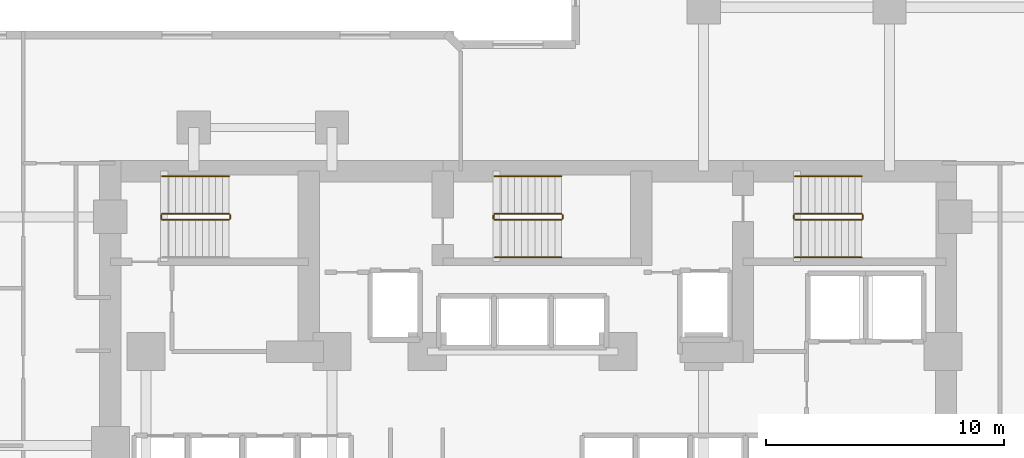
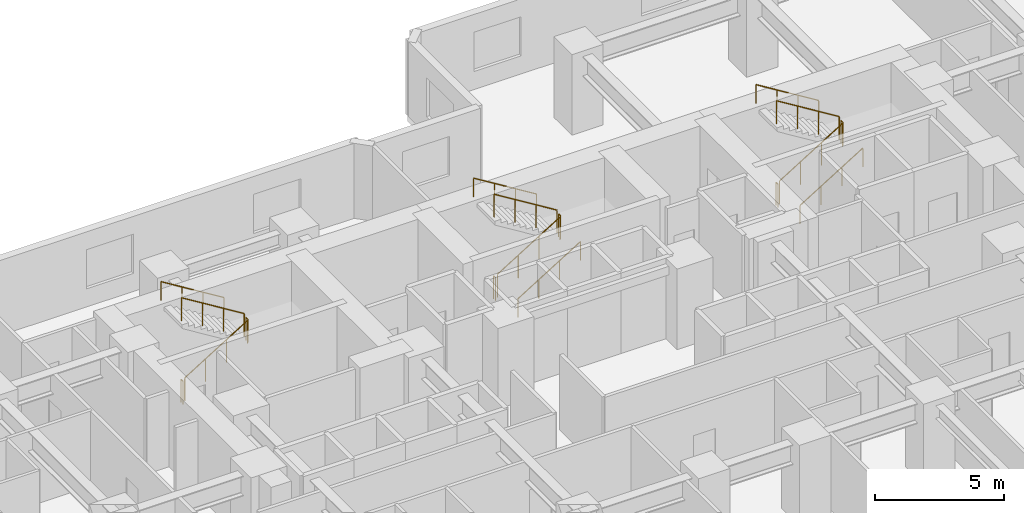
# One storey, part 12 of 12: 17 railings.
"""IFC4 building model written with IfcOpenShell, lengths in metres."""

import ifcopenshell
import ifcopenshell.guid

model = None  # the IFC model being written
_history = None  # IfcOwnerHistory: only IFC2X3 demands one
_inside = {}  # id of a spatial element -> (the spatial element, [elements in it])
_under = {}  # id of a project, library or spatial element -> (it, [spatial elements below it])
_declared = {}  # id of a project -> (the project, [libraries it declares])
_typed = {}  # id of a type object -> (the type object, [elements of that type])
_made_of = {}  # id of a material, layer set ... -> (it, [elements and type objects made of it])


def new_model(schema):
    """Start an empty IFC model of exactly this schema.

    Asked for "IFC4X3", IfcOpenShell would pick the latest addendum, in which some entities
    have other attributes; the version numbers below select the first issue.
    IFC2X3 requires an IfcOwnerHistory on every rooted entity: one is made here for all.
    """
    global model, _history
    if schema == "IFC4X3":
        model = ifcopenshell.file(schema_version=(4, 3, 0, 0))
    else:
        model = ifcopenshell.file(schema=schema)
    _inside.clear()
    _under.clear()
    _declared.clear()
    _typed.clear()
    _made_of.clear()
    _history = None
    if model.schema == "IFC2X3":
        org = make("IfcOrganization", Name="unknown")
        user = make(
            "IfcPersonAndOrganization",
            ThePerson=make("IfcPerson", FamilyName="unknown"),
            TheOrganization=org,
        )
        app = make(
            "IfcApplication",
            ApplicationDeveloper=org,
            Version="unknown",
            ApplicationFullName="unknown",
            ApplicationIdentifier="unknown",
        )
        _history = make(
            "IfcOwnerHistory",
            OwningUser=user,
            OwningApplication=app,
            ChangeAction="ADDED",
            CreationDate=0,
        )
    return model


def make(cls, **values):
    """One entity of the class cls with the attributes given. An attribute that is None is left unset."""
    return model.create_entity(
        cls, **{name: value for name, value in values.items() if value is not None}
    )


def rooted(cls, **values):
    """An entity with a GlobalId (a new one), such as an element, a storey or a relation."""
    return make(cls, GlobalId=ifcopenshell.guid.new(), OwnerHistory=_history, **values)


def si_unit(unit_type, name, prefix=None):
    """IfcSIUnit, for example si_unit("LENGTHUNIT", "METRE", prefix="MILLI")."""
    return make("IfcSIUnit", UnitType=unit_type, Prefix=prefix, Name=name)


def assignment(units):
    """IfcUnitAssignment: the units of a project."""
    return None if units is None else make("IfcUnitAssignment", Units=units)


def point(xyz):
    """IfcCartesianPoint."""
    return None if xyz is None else make("IfcCartesianPoint", Coordinates=xyz)


def direction(xyz):
    """IfcDirection."""
    return None if xyz is None else make("IfcDirection", DirectionRatios=xyz)


def frame(location, z_axis=None, x_axis=None):
    """IfcAxis2Placement3D, a coordinate frame: its origin and axes. An axis left out is left unset."""
    return make(
        "IfcAxis2Placement3D",
        Location=point(location),
        Axis=direction(z_axis),
        RefDirection=direction(x_axis),
    )


def frame_2d(location, x_axis=None):
    """IfcAxis2Placement2D, a coordinate frame in the plane: its origin and x axis."""
    return make(
        "IfcAxis2Placement2D", Location=point(location), RefDirection=direction(x_axis)
    )


def origin():
    """The frame at (0, 0, 0) with its axes left unset."""
    return frame((0.0, 0.0, 0.0))


def origin_2d():
    """The frame at (0, 0) in the plane with its x axis left unset."""
    return frame_2d((0.0, 0.0))


def place(relative_to, where):
    """IfcLocalPlacement: puts the frame where relative to a parent placement (None: the world)."""
    return make(
        "IfcLocalPlacement", PlacementRelTo=relative_to, RelativePlacement=where
    )


def context(
    kind, dimensions, precision=None, world=None, true_north=None, identifier=None
):
    """IfcGeometricRepresentationContext, for example the 3D "Model" context."""
    return make(
        "IfcGeometricRepresentationContext",
        ContextIdentifier=identifier,
        ContextType=kind,
        CoordinateSpaceDimension=dimensions,
        Precision=precision,
        WorldCoordinateSystem=world,
        TrueNorth=true_north,
    )


def subcontext(parent, identifier, kind, view, scale=None):
    """IfcGeometricRepresentationSubContext, for example "Body" below "Model"."""
    return make(
        "IfcGeometricRepresentationSubContext",
        ContextIdentifier=identifier,
        ContextType=kind,
        ParentContext=parent,
        TargetScale=scale,
        TargetView=view,
    )


def project(units=None, contexts=None):
    """IfcProject with its units and contexts."""
    return rooted(
        "IfcProject",
        Name="project",
        RepresentationContexts=contexts,
        UnitsInContext=assignment(units),
    )


def spatial(cls, under=None, at=None, **own):
    """A site, building, storey or space (cls), placed at a placement, below another one or the project."""
    s = rooted(cls, ObjectPlacement=at, **own)
    if under is not None:
        _under.setdefault(under.id(), (under, []))[1].append(s)
    return s


def profile(cls, at=None, kind="AREA", **sizes):
    """A parametric profile (cls). Its sizes go by their IFC names, for example OverallWidth=200.0."""
    return make(cls, ProfileType=kind, Position=at, **sizes)


def circle(**sizes):
    """IfcCircleProfileDef."""
    return profile("IfcCircleProfileDef", **sizes)


def extrude(swept, where, along, depth):
    """IfcExtrudedAreaSolid: the profile swept, set in the frame where, extruded along a direction by depth."""
    return make(
        "IfcExtrudedAreaSolid",
        SweptArea=swept,
        Position=where,
        ExtrudedDirection=direction(along),
        Depth=depth,
    )


def shape(context_of_items, identifier, shape_type, items):
    """IfcShapeRepresentation: the items that make up one representation, for example the "Body"."""
    return make(
        "IfcShapeRepresentation",
        ContextOfItems=context_of_items,
        RepresentationIdentifier=identifier,
        RepresentationType=shape_type,
        Items=items,
    )


def material(Name=None, Category=None):
    """IfcMaterial."""
    return make("IfcMaterial", Name=Name, Category=Category)


def made_of(thing, what):
    """Note that an element or type object is made of a material, layer set ...; save() writes the relation."""
    if what is not None:
        _made_of.setdefault(what.id(), (what, []))[1].append(thing)
    return thing


def type_object(cls, material=None, **own):
    """A type object (cls), such as IfcWallType, which elements share."""
    return made_of(rooted(cls, **own), material)


def element(
    cls,
    number,
    at=None,
    inside=None,
    cuts=None,
    type_object=None,
    material=None,
    context=None,
    identifier="Body",
    shape_type=None,
    held_by="IfcProductDefinitionShape",
    body=None,
    shapes=None,
    **own,
):
    """One element of the class cls, such as IfcWall. Its Tag is "e" and its number.

    at: its placement. inside: the storey or other place that contains it. cuts: it is an
    opening in that element (IfcRelVoidsElement). A single representation is given by context,
    identifier, shape_type and body (its items); several are given by shapes. held_by: the class
    of the entity that holds the representations. save() writes the other relations.
    """
    e = rooted(cls, Tag="e%d" % number, ObjectPlacement=at, **own)
    if body is not None:
        shapes = [shape(context, identifier, shape_type, body)]
    if shapes is not None:
        e.Representation = make(held_by, Representations=shapes)
    if inside is not None:
        _inside.setdefault(inside.id(), (inside, []))[1].append(e)
    if cuts is not None:
        rooted(
            "IfcRelVoidsElement", RelatingBuildingElement=cuts, RelatedOpeningElement=e
        )
    if type_object is not None:
        _typed.setdefault(type_object.id(), (type_object, []))[1].append(e)
    return made_of(e, material)


def aggregate(whole, parts):
    """IfcRelAggregates: a whole, such as a stair, and the parts it consists of."""
    return rooted("IfcRelAggregates", RelatingObject=whole, RelatedObjects=parts)


def save(model, path):
    """Write the relations noted so far, then the file.

    IfcRelAggregates (storeys below a building ...), IfcRelContainedInSpatialStructure (elements
    in a storey), IfcRelDefinesByType, IfcRelAssociatesMaterial and IfcRelDeclares: one each for
    every whole, place, type object, material and project.
    """
    for whole, parts in _under.values():
        aggregate(whole, parts)
    for where, things in _inside.values():
        rooted(
            "IfcRelContainedInSpatialStructure",
            RelatedElements=things,
            RelatingStructure=where,
        )
    for kind, things in _typed.values():
        rooted("IfcRelDefinesByType", RelatedObjects=things, RelatingType=kind)
    for what, things in _made_of.values():
        rooted("IfcRelAssociatesMaterial", RelatedObjects=things, RelatingMaterial=what)
    for by, libraries in _declared.values():
        rooted("IfcRelDeclares", RelatingContext=by, RelatedDefinitions=libraries)
    model.write(path)


model = new_model("IFC4")

# Units and contexts
model_context = context("Model", 3, precision=1e-05, world=origin(), true_north=direction((0.0, 1.0)))
body_context = subcontext(model_context, "Body", "Model", "MODEL_VIEW")
ifc_project = project(units=[si_unit("LENGTHUNIT", "METRE"), si_unit("AREAUNIT", "SQUARE_METRE"), si_unit("VOLUMEUNIT", "CUBIC_METRE"), si_unit("PLANEANGLEUNIT", "RADIAN"), si_unit("MASSUNIT", "GRAM", prefix="KILO")], contexts=[model_context])

# Site, building, storey
site_placement = place(None, origin())
site = spatial("IfcSite", under=ifc_project, at=site_placement, CompositionType="ELEMENT")
building_placement = place(site_placement, origin())
building = spatial("IfcBuilding", under=site, at=building_placement, Name="Kestravale Grand Hotel", CompositionType="ELEMENT")
storey_placement = place(building_placement, frame((0.0, 0.0, 60.199951171875)))
storey = spatial("IfcBuildingStorey", under=building, at=storey_placement, Name="L14", CompositionType="ELEMENT", Elevation=60.199951171875)

# Railings
ifc_material_1 = material(Name="Painted tubular steel stair well guard", Category="steel")
railing_type_1 = type_object("IfcRailingType", Name="RL-ST-GRD1100", PredefinedType="GUARDRAIL", material=ifc_material_1)
railing_1_placement = place(storey_placement, frame((24.080078125, 38.280029296875, 0.1728515625)))
element("IfcRailing", 1, at=railing_1_placement, inside=storey, type_object=railing_type_1, Name="L14 ST-1 stair guard 1", PredefinedType="GUARDRAIL", context=body_context, shape_type="SweptSolid", body=[
    extrude(circle(Radius=0.02392578125, at=origin_2d()), frame((0.0, 0.0, 1.076171875), z_axis=(0.851069175582, 0.0, 0.525053576669), x_axis=(0.0, 1.0, 0.0)), (0.0, 0.0, 1.0), 3.289794921875),
    extrude(circle(Radius=0.02099609375, at=origin_2d()), origin(), (0.0, 0.0, 1.0), 1.052001953125),
    extrude(circle(Radius=0.02099609375, at=origin_2d()), frame((0.933349609375, 0.0, 0.57568359375)), (0.0, 0.0, 1.0), 1.052001953125),
    extrude(circle(Radius=0.02099609375, at=origin_2d()), frame((1.866455078125, 0.0, 1.151611328125)), (0.0, 0.0, 1.0), 1.052001953125),
    extrude(circle(Radius=0.02099609375, at=origin_2d()), frame((2.7998046875, 0.0, 1.727294921875)), (0.0, 0.0, 1.0), 1.052001953125),
])
railing_2_placement = place(storey_placement, frame((26.929931640625, 38.330078125, 1.900146484375)))
element("IfcRailing", 2, at=railing_2_placement, inside=storey, type_object=railing_type_1, Name="L14 ST-1 stair guard 2", PredefinedType="GUARDRAIL", context=body_context, shape_type="SweptSolid", body=[
    extrude(circle(Radius=0.02392578125, at=origin_2d()), frame((0.0, 0.0, 1.076171875), z_axis=(0.0, 1.0, 0.0), x_axis=(-1.0, 0.0, 0.0)), (0.0, 0.0, 1.0), 0.14990234375),
    extrude(circle(Radius=0.02099609375, at=origin_2d()), origin(), (0.0, 0.0, 1.0), 1.052001953125),
    extrude(circle(Radius=0.02099609375, at=origin_2d()), frame((0.0, 0.14990234375, 0.0)), (0.0, 0.0, 1.0), 1.052001953125),
])
railing_3_placement = place(storey_placement, frame((26.8798828125, 38.530029296875, 2.07275390625)))
element("IfcRailing", 3, at=railing_3_placement, inside=storey, type_object=railing_type_1, Name="L14 ST-1 stair guard 3", PredefinedType="GUARDRAIL", context=body_context, shape_type="SweptSolid", body=[
    extrude(circle(Radius=0.02392578125, at=origin_2d()), frame((0.0, 0.0, 1.076171875), z_axis=(-0.851069175582, 0.0, 0.525053576669), x_axis=(0.0, -1.0, 0.0)), (0.0, 0.0, 1.0), 3.289794921875),
    extrude(circle(Radius=0.02099609375, at=origin_2d()), origin(), (0.0, 0.0, 1.0), 1.052001953125),
    extrude(circle(Radius=0.02099609375, at=origin_2d()), frame((-0.933349609375, 0.0, 0.57568359375)), (0.0, 0.0, 1.0), 1.052001953125),
    extrude(circle(Radius=0.02099609375, at=origin_2d()), frame((-1.866455078125, 0.0, 1.151611328125)), (0.0, 0.0, 1.0), 1.052001953125),
    extrude(circle(Radius=0.02099609375, at=origin_2d()), frame((-2.7998046875, 0.0, 1.727294921875)), (0.0, 0.0, 1.0), 1.052001953125),
])
railing_4_placement = place(storey_placement, frame((24.030029296875, 38.330078125, 0.0)))
element("IfcRailing", 4, at=railing_4_placement, inside=storey, type_object=railing_type_1, Name="L14 ST-1 stair guard 4", PredefinedType="GUARDRAIL", context=body_context, shape_type="SweptSolid", body=[
    extrude(circle(Radius=0.02392578125, at=origin_2d()), frame((0.0, 0.0, 1.076171875), z_axis=(0.0, 1.0, 0.0), x_axis=(-1.0, 0.0, 0.0)), (0.0, 0.0, 1.0), 0.14990234375),
    extrude(circle(Radius=0.02099609375, at=origin_2d()), origin(), (0.0, 0.0, 1.0), 1.052001953125),
    extrude(circle(Radius=0.02099609375, at=origin_2d()), frame((0.0, 0.14990234375, 0.0)), (0.0, 0.0, 1.0), 1.052001953125),
])
railing_5_placement = place(storey_placement, frame((38.030029296875, 38.280029296875, 0.1728515625)))
element("IfcRailing", 5, at=railing_5_placement, inside=storey, type_object=railing_type_1, Name="L14 ST-2 stair guard 1", PredefinedType="GUARDRAIL", context=body_context, shape_type="SweptSolid", body=[
    extrude(circle(Radius=0.02392578125, at=origin_2d()), frame((0.0, 0.0, 1.076171875), z_axis=(0.851089632645, 0.0, 0.525020415988), x_axis=(0.0, 1.0, 0.0)), (0.0, 0.0, 1.0), 3.2900390625),
    extrude(circle(Radius=0.02099609375, at=origin_2d()), origin(), (0.0, 0.0, 1.0), 1.052001953125),
    extrude(circle(Radius=0.02099609375, at=origin_2d()), frame((0.933349609375, 0.0, 0.57568359375)), (0.0, 0.0, 1.0), 1.052001953125),
    extrude(circle(Radius=0.02099609375, at=origin_2d()), frame((1.86669921875, 0.0, 1.151611328125)), (0.0, 0.0, 1.0), 1.052001953125),
    extrude(circle(Radius=0.02099609375, at=origin_2d()), frame((2.800048828125, 0.0, 1.727294921875)), (0.0, 0.0, 1.0), 1.052001953125),
])
railing_6_placement = place(storey_placement, frame((40.8798828125, 38.330078125, 1.900146484375)))
element("IfcRailing", 6, at=railing_6_placement, inside=storey, type_object=railing_type_1, Name="L14 ST-2 stair guard 2", PredefinedType="GUARDRAIL", context=body_context, shape_type="SweptSolid", body=[
    extrude(circle(Radius=0.02392578125, at=origin_2d()), frame((0.0, 0.0, 1.076171875), z_axis=(0.0, 1.0, 0.0), x_axis=(-1.0, 0.0, 0.0)), (0.0, 0.0, 1.0), 0.14990234375),
    extrude(circle(Radius=0.02099609375, at=origin_2d()), origin(), (0.0, 0.0, 1.0), 1.052001953125),
    extrude(circle(Radius=0.02099609375, at=origin_2d()), frame((0.0, 0.14990234375, 0.0)), (0.0, 0.0, 1.0), 1.052001953125),
])
railing_7_placement = place(storey_placement, frame((40.830078125, 38.530029296875, 2.07275390625)))
element("IfcRailing", 7, at=railing_7_placement, inside=storey, type_object=railing_type_1, Name="L14 ST-2 stair guard 3", PredefinedType="GUARDRAIL", context=body_context, shape_type="SweptSolid", body=[
    extrude(circle(Radius=0.02392578125, at=origin_2d()), frame((0.0, 0.0, 1.076171875), z_axis=(-0.851089632645, 0.0, 0.525020415988), x_axis=(0.0, -1.0, 0.0)), (0.0, 0.0, 1.0), 3.2900390625),
    extrude(circle(Radius=0.02099609375, at=origin_2d()), origin(), (0.0, 0.0, 1.0), 1.052001953125),
    extrude(circle(Radius=0.02099609375, at=origin_2d()), frame((-0.933349609375, 0.0, 0.57568359375)), (0.0, 0.0, 1.0), 1.052001953125),
    extrude(circle(Radius=0.02099609375, at=origin_2d()), frame((-1.86669921875, 0.0, 1.151611328125)), (0.0, 0.0, 1.0), 1.052001953125),
    extrude(circle(Radius=0.02099609375, at=origin_2d()), frame((-2.800048828125, 0.0, 1.727294921875)), (0.0, 0.0, 1.0), 1.052001953125),
])
railing_8_placement = place(storey_placement, frame((37.97998046875, 38.330078125, 0.0)))
element("IfcRailing", 8, at=railing_8_placement, inside=storey, type_object=railing_type_1, Name="L14 ST-2 stair guard 4", PredefinedType="GUARDRAIL", context=body_context, shape_type="SweptSolid", body=[
    extrude(circle(Radius=0.02392578125, at=origin_2d()), frame((0.0, 0.0, 1.076171875), z_axis=(0.0, 1.0, 0.0), x_axis=(-1.0, 0.0, 0.0)), (0.0, 0.0, 1.0), 0.14990234375),
    extrude(circle(Radius=0.02099609375, at=origin_2d()), origin(), (0.0, 0.0, 1.0), 1.052001953125),
    extrude(circle(Radius=0.02099609375, at=origin_2d()), frame((0.0, 0.14990234375, 0.0)), (0.0, 0.0, 1.0), 1.052001953125),
])
railing_9_placement = place(storey_placement, frame((50.6298828125, 38.280029296875, 0.1728515625)))
element("IfcRailing", 9, at=railing_9_placement, inside=storey, type_object=railing_type_1, Name="L14 ST-3 stair guard 1", PredefinedType="GUARDRAIL", context=body_context, shape_type="SweptSolid", body=[
    extrude(circle(Radius=0.02392578125, at=origin_2d()), frame((0.0, 0.0, 1.076171875), z_axis=(0.851089632645, 0.0, 0.525020415988), x_axis=(0.0, 1.0, 0.0)), (0.0, 0.0, 1.0), 3.2900390625),
    extrude(circle(Radius=0.02099609375, at=origin_2d()), origin(), (0.0, 0.0, 1.0), 1.052001953125),
    extrude(circle(Radius=0.02099609375, at=origin_2d()), frame((0.933349609375, 0.0, 0.57568359375)), (0.0, 0.0, 1.0), 1.052001953125),
    extrude(circle(Radius=0.02099609375, at=origin_2d()), frame((1.86669921875, 0.0, 1.151611328125)), (0.0, 0.0, 1.0), 1.052001953125),
    extrude(circle(Radius=0.02099609375, at=origin_2d()), frame((2.800048828125, 0.0, 1.727294921875)), (0.0, 0.0, 1.0), 1.052001953125),
])
railing_10_placement = place(storey_placement, frame((53.47998046875, 38.330078125, 1.900146484375)))
element("IfcRailing", 10, at=railing_10_placement, inside=storey, type_object=railing_type_1, Name="L14 ST-3 stair guard 2", PredefinedType="GUARDRAIL", context=body_context, shape_type="SweptSolid", body=[
    extrude(circle(Radius=0.02392578125, at=origin_2d()), frame((0.0, 0.0, 1.076171875), z_axis=(0.0, 1.0, 0.0), x_axis=(-1.0, 0.0, 0.0)), (0.0, 0.0, 1.0), 0.14990234375),
    extrude(circle(Radius=0.02099609375, at=origin_2d()), origin(), (0.0, 0.0, 1.0), 1.052001953125),
    extrude(circle(Radius=0.02099609375, at=origin_2d()), frame((0.0, 0.14990234375, 0.0)), (0.0, 0.0, 1.0), 1.052001953125),
])
railing_11_placement = place(storey_placement, frame((53.429931640625, 38.530029296875, 2.07275390625)))
element("IfcRailing", 11, at=railing_11_placement, inside=storey, type_object=railing_type_1, Name="L14 ST-3 stair guard 3", PredefinedType="GUARDRAIL", context=body_context, shape_type="SweptSolid", body=[
    extrude(circle(Radius=0.02392578125, at=origin_2d()), frame((0.0, 0.0, 1.076171875), z_axis=(-0.851089632645, 0.0, 0.525020415988), x_axis=(0.0, -1.0, 0.0)), (0.0, 0.0, 1.0), 3.2900390625),
    extrude(circle(Radius=0.02099609375, at=origin_2d()), origin(), (0.0, 0.0, 1.0), 1.052001953125),
    extrude(circle(Radius=0.02099609375, at=origin_2d()), frame((-0.933349609375, 0.0, 0.57568359375)), (0.0, 0.0, 1.0), 1.052001953125),
    extrude(circle(Radius=0.02099609375, at=origin_2d()), frame((-1.86669921875, 0.0, 1.151611328125)), (0.0, 0.0, 1.0), 1.052001953125),
    extrude(circle(Radius=0.02099609375, at=origin_2d()), frame((-2.800048828125, 0.0, 1.727294921875)), (0.0, 0.0, 1.0), 1.052001953125),
])
railing_12_placement = place(storey_placement, frame((50.580078125, 38.330078125, 0.0)))
element("IfcRailing", 12, at=railing_12_placement, inside=storey, type_object=railing_type_1, Name="L14 ST-3 stair guard 4", PredefinedType="GUARDRAIL", context=body_context, shape_type="SweptSolid", body=[
    extrude(circle(Radius=0.02392578125, at=origin_2d()), frame((0.0, 0.0, 1.076171875), z_axis=(0.0, 1.0, 0.0), x_axis=(-1.0, 0.0, 0.0)), (0.0, 0.0, 1.0), 0.14990234375),
    extrude(circle(Radius=0.02099609375, at=origin_2d()), origin(), (0.0, 0.0, 1.0), 1.052001953125),
    extrude(circle(Radius=0.02099609375, at=origin_2d()), frame((0.0, 0.14990234375, 0.0)), (0.0, 0.0, 1.0), 1.052001953125),
])
ifc_material_2 = material(Name="Brushed stainless steel wall handrail", Category="steel")
railing_type_2 = type_object("IfcRailingType", Name="RL-ST-HND900", PredefinedType="HANDRAIL", material=ifc_material_2)
railing_13_placement = place(storey_placement, frame((26.8798828125, 40.110107421875, 2.07275390625)))
element("IfcRailing", 13, at=railing_13_placement, inside=storey, type_object=railing_type_2, Name="L14 ST-1 stair handrail 2", PredefinedType="HANDRAIL", context=body_context, shape_type="SweptSolid", body=[
    extrude(circle(Radius=0.02392578125, at=origin_2d()), frame((0.0, 0.0, 0.8759765625), z_axis=(-0.851069175582, 0.0, 0.525053576669), x_axis=(0.0, -1.0, 0.0)), (0.0, 0.0, 1.0), 3.289794921875),
    extrude(circle(Radius=0.02099609375, at=origin_2d()), origin(), (0.0, 0.0, 1.0), 0.851806640625),
    extrude(circle(Radius=0.02099609375, at=origin_2d()), frame((-0.933349609375, 0.0, 0.57568359375)), (0.0, 0.0, 1.0), 0.851806640625),
    extrude(circle(Radius=0.02099609375, at=origin_2d()), frame((-1.866455078125, 0.0, 1.151611328125)), (0.0, 0.0, 1.0), 0.851806640625),
    extrude(circle(Radius=0.02099609375, at=origin_2d()), frame((-2.7998046875, 0.0, 1.727294921875)), (0.0, 0.0, 1.0), 0.851806640625),
])
railing_14_placement = place(storey_placement, frame((38.030029296875, 36.699951171875, 0.1728515625)))
element("IfcRailing", 14, at=railing_14_placement, inside=storey, type_object=railing_type_2, Name="L14 ST-2 stair handrail 1", PredefinedType="HANDRAIL", context=body_context, shape_type="SweptSolid", body=[
    extrude(circle(Radius=0.02392578125, at=origin_2d()), frame((0.0, 0.0, 0.8759765625), z_axis=(0.851089632645, 0.0, 0.525020415988), x_axis=(0.0, 1.0, 0.0)), (0.0, 0.0, 1.0), 3.2900390625),
    extrude(circle(Radius=0.02099609375, at=origin_2d()), origin(), (0.0, 0.0, 1.0), 0.851806640625),
    extrude(circle(Radius=0.02099609375, at=origin_2d()), frame((0.933349609375, 0.0, 0.57568359375)), (0.0, 0.0, 1.0), 0.851806640625),
    extrude(circle(Radius=0.02099609375, at=origin_2d()), frame((1.86669921875, 0.0, 1.151611328125)), (0.0, 0.0, 1.0), 0.851806640625),
    extrude(circle(Radius=0.02099609375, at=origin_2d()), frame((2.800048828125, 0.0, 1.727294921875)), (0.0, 0.0, 1.0), 0.851806640625),
])
railing_15_placement = place(storey_placement, frame((40.830078125, 40.110107421875, 2.07275390625)))
element("IfcRailing", 15, at=railing_15_placement, inside=storey, type_object=railing_type_2, Name="L14 ST-2 stair handrail 2", PredefinedType="HANDRAIL", context=body_context, shape_type="SweptSolid", body=[
    extrude(circle(Radius=0.02392578125, at=origin_2d()), frame((0.0, 0.0, 0.8759765625), z_axis=(-0.851089632645, 0.0, 0.525020415988), x_axis=(0.0, -1.0, 0.0)), (0.0, 0.0, 1.0), 3.2900390625),
    extrude(circle(Radius=0.02099609375, at=origin_2d()), origin(), (0.0, 0.0, 1.0), 0.851806640625),
    extrude(circle(Radius=0.02099609375, at=origin_2d()), frame((-0.933349609375, 0.0, 0.57568359375)), (0.0, 0.0, 1.0), 0.851806640625),
    extrude(circle(Radius=0.02099609375, at=origin_2d()), frame((-1.86669921875, 0.0, 1.151611328125)), (0.0, 0.0, 1.0), 0.851806640625),
    extrude(circle(Radius=0.02099609375, at=origin_2d()), frame((-2.800048828125, 0.0, 1.727294921875)), (0.0, 0.0, 1.0), 0.851806640625),
])
railing_16_placement = place(storey_placement, frame((50.6298828125, 36.699951171875, 0.1728515625)))
element("IfcRailing", 16, at=railing_16_placement, inside=storey, type_object=railing_type_2, Name="L14 ST-3 stair handrail 1", PredefinedType="HANDRAIL", context=body_context, shape_type="SweptSolid", body=[
    extrude(circle(Radius=0.02392578125, at=origin_2d()), frame((0.0, 0.0, 0.8759765625), z_axis=(0.851089632645, 0.0, 0.525020415988), x_axis=(0.0, 1.0, 0.0)), (0.0, 0.0, 1.0), 3.2900390625),
    extrude(circle(Radius=0.02099609375, at=origin_2d()), origin(), (0.0, 0.0, 1.0), 0.851806640625),
    extrude(circle(Radius=0.02099609375, at=origin_2d()), frame((0.933349609375, 0.0, 0.57568359375)), (0.0, 0.0, 1.0), 0.851806640625),
    extrude(circle(Radius=0.02099609375, at=origin_2d()), frame((1.86669921875, 0.0, 1.151611328125)), (0.0, 0.0, 1.0), 0.851806640625),
    extrude(circle(Radius=0.02099609375, at=origin_2d()), frame((2.800048828125, 0.0, 1.727294921875)), (0.0, 0.0, 1.0), 0.851806640625),
])
railing_17_placement = place(storey_placement, frame((53.429931640625, 40.110107421875, 2.07275390625)))
element("IfcRailing", 17, at=railing_17_placement, inside=storey, type_object=railing_type_2, Name="L14 ST-3 stair handrail 2", PredefinedType="HANDRAIL", context=body_context, shape_type="SweptSolid", body=[
    extrude(circle(Radius=0.02392578125, at=origin_2d()), frame((0.0, 0.0, 0.8759765625), z_axis=(-0.851089632645, 0.0, 0.525020415988), x_axis=(0.0, -1.0, 0.0)), (0.0, 0.0, 1.0), 3.2900390625),
    extrude(circle(Radius=0.02099609375, at=origin_2d()), origin(), (0.0, 0.0, 1.0), 0.851806640625),
    extrude(circle(Radius=0.02099609375, at=origin_2d()), frame((-0.933349609375, 0.0, 0.57568359375)), (0.0, 0.0, 1.0), 0.851806640625),
    extrude(circle(Radius=0.02099609375, at=origin_2d()), frame((-1.86669921875, 0.0, 1.151611328125)), (0.0, 0.0, 1.0), 0.851806640625),
    extrude(circle(Radius=0.02099609375, at=origin_2d()), frame((-2.800048828125, 0.0, 1.727294921875)), (0.0, 0.0, 1.0), 0.851806640625),
])

save(model, "model.ifc")
